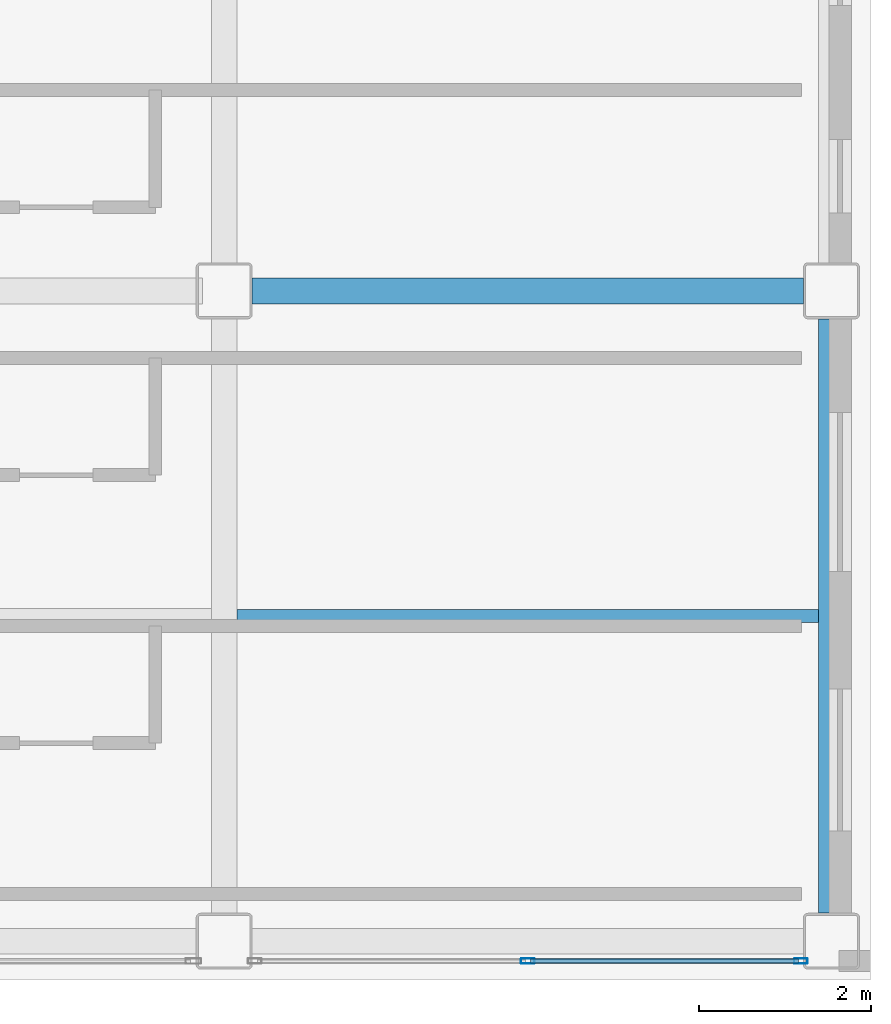
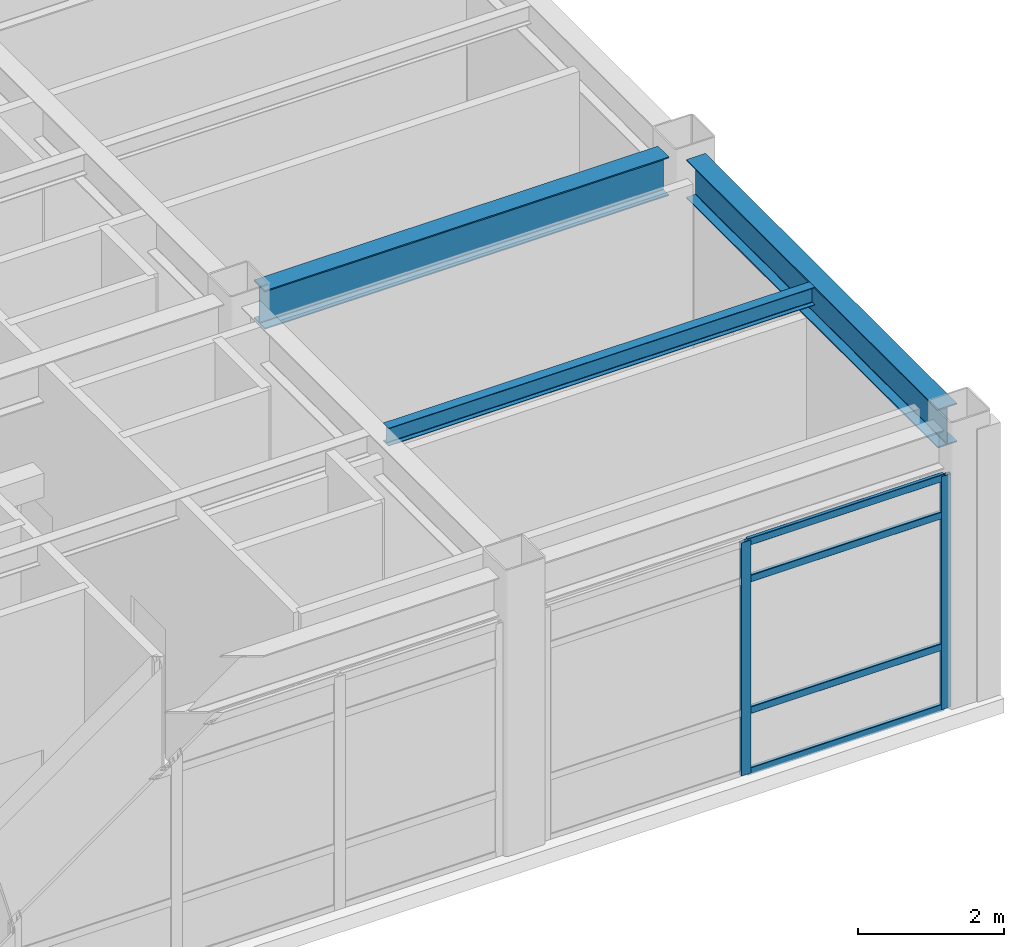
# One storey, part 21 of 61: 6 members, 3 beams, 1 element without a shape of its own.
"""IFC4 building model written with IfcOpenShell, lengths in metres."""

from ifc_helpers import new_model, si_unit, direction, frame, origin, origin_2d, place, context, subcontext, project, spatial, hollow_rectangle, i_section, extrude, material, layer, layer_set, material_profile, profile_set, type_object, element, aggregate, save


model = new_model("IFC4")

# Units and contexts
model_context = context("Model", 3, precision=1e-05, world=origin(), true_north=direction((0.0, 1.0)))
body_context = subcontext(model_context, "Body", "Model", "MODEL_VIEW")
ifc_project = project(units=[si_unit("LENGTHUNIT", "METRE"), si_unit("AREAUNIT", "SQUARE_METRE"), si_unit("VOLUMEUNIT", "CUBIC_METRE"), si_unit("PLANEANGLEUNIT", "RADIAN"), si_unit("MASSUNIT", "GRAM", prefix="KILO")], contexts=[model_context])

# Site, building, storey
site_placement = place(None, origin())
site = spatial("IfcSite", under=ifc_project, at=site_placement, CompositionType="ELEMENT")
building_placement = place(site_placement, origin())
building = spatial("IfcBuilding", under=site, at=building_placement, Name="Kazehara Bluff Congress Hotel", CompositionType="ELEMENT")
storey_placement = place(building_placement, frame((0.0, 0.0, 19.800048828125)))
storey = spatial("IfcBuildingStorey", under=building, at=storey_placement, Name="L04", CompositionType="ELEMENT", Elevation=19.800048828125)

# Curtain wall, members
ifc_material_1 = material(Name="Anodised aluminium", Category="aluminium")
ifc_layer = layer(ifc_material_1, 0.159912109375)
ifc_layer_set = layer_set([ifc_layer], Name="Anodised aluminium")
curtain_wall_type = type_object("IfcCurtainWallType", Name="TP-CW-159", PredefinedType="NOTDEFINED", material=ifc_layer_set)
curtain_wall_placement = place(storey_placement, origin())
curtain_wall = element("IfcCurtainWall", 1, at=curtain_wall_placement, inside=storey, type_object=curtain_wall_type, Name="L04 curtain wall CW-159 CW-ENC-V5-L04-16402-22", PredefinedType="NOTDEFINED")
ifc_material_2 = material(Name="Anodised aluminium", Category="aluminium")
ifc_material_profile_1 = material_profile(ifc_material_2, hollow_rectangle(XDim=0.06005859375, YDim=0.159912109375, WallThickness=0.00390625, InnerFilletRadius=0.00390625, OuterFilletRadius=0.008056640625, at=origin_2d()))
ifc_profile_set_1 = profile_set([ifc_material_profile_1], Name="Anodised aluminium")
member_type_1 = type_object("IfcMemberType", Name="TP-CWM-01", PredefinedType="MULLION", material=ifc_profile_set_1)
member_1_placement = place(storey_placement, frame((167.195068359375, 0.219970703125, 0.0), z_axis=(0.0, 0.0, 1.0), x_axis=(0.0, -1.0, 0.0)))
member_1 = element("IfcMember", 2, at=member_1_placement, type_object=member_type_1, Name="CW-159 mullion 1", PredefinedType="MULLION", context=body_context, shape_type="SweptSolid", body=[
    extrude(hollow_rectangle(XDim=0.06005859375, YDim=0.159912109375, WallThickness=0.00390625, InnerFilletRadius=0.00390625, OuterFilletRadius=0.008056640625, at=origin_2d()), origin(), (0.0, 0.0, 1.0), 3.905029296875),
])
member_2_placement = place(storey_placement, frame((164.02490234375, 0.219970703125, 0.0), z_axis=(0.0, 0.0, 1.0), x_axis=(0.0, -1.0, 0.0)))
member_2 = element("IfcMember", 3, at=member_2_placement, type_object=member_type_1, Name="CW-159 mullion 2", PredefinedType="MULLION", context=body_context, shape_type="SweptSolid", body=[
    extrude(hollow_rectangle(XDim=0.06005859375, YDim=0.159912109375, WallThickness=0.00390625, InnerFilletRadius=0.00390625, OuterFilletRadius=0.008056640625, at=origin_2d()), origin(), (0.0, 0.0, 1.0), 3.905029296875),
])
ifc_material_3 = material(Name="Anodised aluminium", Category="aluminium")
ifc_material_profile_2 = material_profile(ifc_material_3, hollow_rectangle(XDim=0.06005859375, YDim=0.1201171875, WallThickness=0.00390625, InnerFilletRadius=0.00390625, OuterFilletRadius=0.008056640625, at=origin_2d()))
ifc_profile_set_2 = profile_set([ifc_material_profile_2], Name="Anodised aluminium")
member_type_2 = type_object("IfcMemberType", Name="TP-CWT-01", PredefinedType="USERDEFINED", material=ifc_profile_set_2)
member_3_placement = place(storey_placement, frame((167.1650390625, 0.219970703125, 0.030029296875), z_axis=(-1.0, 0.0, 0.0), x_axis=(0.0, -1.0, 0.0)))
member_3 = element("IfcMember", 4, at=member_3_placement, type_object=member_type_2, Name="CW-159 transom 1.1", ObjectType="TRANSOM", PredefinedType="USERDEFINED", context=body_context, shape_type="SweptSolid", body=[
    extrude(hollow_rectangle(XDim=0.06005859375, YDim=0.1201171875, WallThickness=0.00390625, InnerFilletRadius=0.00390625, OuterFilletRadius=0.008056640625, at=origin_2d()), origin(), (0.0, 0.0, 1.0), 3.110107421875),
])
member_4_placement = place(storey_placement, frame((167.1650390625, 0.219970703125, 1.050048828125), z_axis=(-1.0, 0.0, 0.0), x_axis=(0.0, -1.0, 0.0)))
member_4 = element("IfcMember", 5, at=member_4_placement, type_object=member_type_2, Name="CW-159 transom 1.2", ObjectType="TRANSOM", PredefinedType="USERDEFINED", context=body_context, shape_type="SweptSolid", body=[
    extrude(hollow_rectangle(XDim=0.06005859375, YDim=0.1201171875, WallThickness=0.00390625, InnerFilletRadius=0.00390625, OuterFilletRadius=0.008056640625, at=origin_2d()), origin(), (0.0, 0.0, 1.0), 3.110107421875),
])
member_5_placement = place(storey_placement, frame((167.1650390625, 0.219970703125, 3.2548828125), z_axis=(-1.0, 0.0, 0.0), x_axis=(0.0, -1.0, 0.0)))
member_5 = element("IfcMember", 6, at=member_5_placement, type_object=member_type_2, Name="CW-159 transom 1.3", ObjectType="TRANSOM", PredefinedType="USERDEFINED", context=body_context, shape_type="SweptSolid", body=[
    extrude(hollow_rectangle(XDim=0.06005859375, YDim=0.1201171875, WallThickness=0.00390625, InnerFilletRadius=0.00390625, OuterFilletRadius=0.008056640625, at=origin_2d()), origin(), (0.0, 0.0, 1.0), 3.110107421875),
])
member_6_placement = place(storey_placement, frame((167.1650390625, 0.219970703125, 3.875), z_axis=(-1.0, 0.0, 0.0), x_axis=(0.0, -1.0, 0.0)))
member_6 = element("IfcMember", 7, at=member_6_placement, type_object=member_type_2, Name="CW-159 transom 1.4", ObjectType="TRANSOM", PredefinedType="USERDEFINED", context=body_context, shape_type="SweptSolid", body=[
    extrude(hollow_rectangle(XDim=0.06005859375, YDim=0.1201171875, WallThickness=0.00390625, InnerFilletRadius=0.00390625, OuterFilletRadius=0.008056640625, at=origin_2d()), origin(), (0.0, 0.0, 1.0), 3.110107421875),
])
aggregate(curtain_wall, [member_1, member_2, member_3, member_4, member_5, member_6])

# Beams
ifc_material_4 = material(Name="Steel SN490B", Category="steel")
ifc_material_profile_3 = material_profile(ifc_material_4, i_section(OverallWidth=0.300048828125, OverallDepth=0.64990234375, WebThickness=0.011962890625, FlangeThickness=0.02001953125, FilletRadius=0.012939453125, at=origin_2d()))
ifc_profile_set_3 = profile_set([ifc_material_profile_3], Name="Steel SN490B")
beam_type_1 = type_object("IfcBeamType", Name="TP-G-03", PredefinedType="BEAM", material=ifc_profile_set_3)
beam_1_placement = place(storey_placement, frame((167.550048828125, 0.77490234375, 4.2548828125), z_axis=(0.0, 1.0, 0.0), x_axis=(-1.0, 0.0, 0.0)))
element("IfcBeam", 8, at=beam_1_placement, inside=storey, type_object=beam_type_1, Name="L04 girder G-03 67", PredefinedType="BEAM", context=body_context, shape_type="SweptSolid", body=[
    extrude(i_section(OverallWidth=0.300048828125, OverallDepth=0.64990234375, WebThickness=0.011962890625, FlangeThickness=0.02001953125, FilletRadius=0.012939453125, at=origin_2d()), origin(), (0.0, 0.0, 1.0), 6.900146484375),
])
beam_2_placement = place(storey_placement, frame((160.824951171875, 8.0, 4.2548828125), z_axis=(1.0, 0.0, 0.0), x_axis=(0.0, 1.0, 0.0)))
element("IfcBeam", 9, at=beam_2_placement, inside=storey, type_object=beam_type_1, Name="L04 girder G-03 83", PredefinedType="BEAM", context=body_context, shape_type="SweptSolid", body=[
    extrude(i_section(OverallWidth=0.300048828125, OverallDepth=0.64990234375, WebThickness=0.011962890625, FlangeThickness=0.02001953125, FilletRadius=0.012939453125, at=origin_2d()), origin(), (0.0, 0.0, 1.0), 6.400146484375),
])
ifc_material_5 = material(Name="Steel SN400B", Category="steel")
ifc_material_profile_4 = material_profile(ifc_material_5, i_section(OverallWidth=0.14990234375, OverallDepth=0.300048828125, WebThickness=0.006591796875, FlangeThickness=0.009033203125, FilletRadius=0.012939453125, at=origin_2d()))
ifc_profile_set_4 = profile_set([ifc_material_profile_4], Name="Steel SN400B")
beam_type_2 = type_object("IfcBeamType", Name="TP-J-01", PredefinedType="JOIST", material=ifc_profile_set_4)
beam_3_placement = place(storey_placement, frame((160.64990234375, 4.22509765625, 4.429931640625), z_axis=(1.0, 0.0, 0.0), x_axis=(0.0, 1.0, 0.0)))
element("IfcBeam", 10, at=beam_3_placement, inside=storey, type_object=beam_type_2, Name="L04 secondary joist J-01 29", PredefinedType="JOIST", context=body_context, shape_type="SweptSolid", body=[
    extrude(i_section(OverallWidth=0.14990234375, OverallDepth=0.300048828125, WebThickness=0.006591796875, FlangeThickness=0.009033203125, FilletRadius=0.012939453125, at=origin_2d()), origin(), (0.0, 0.0, 1.0), 6.75),
])

save(model, "model.ifc")
